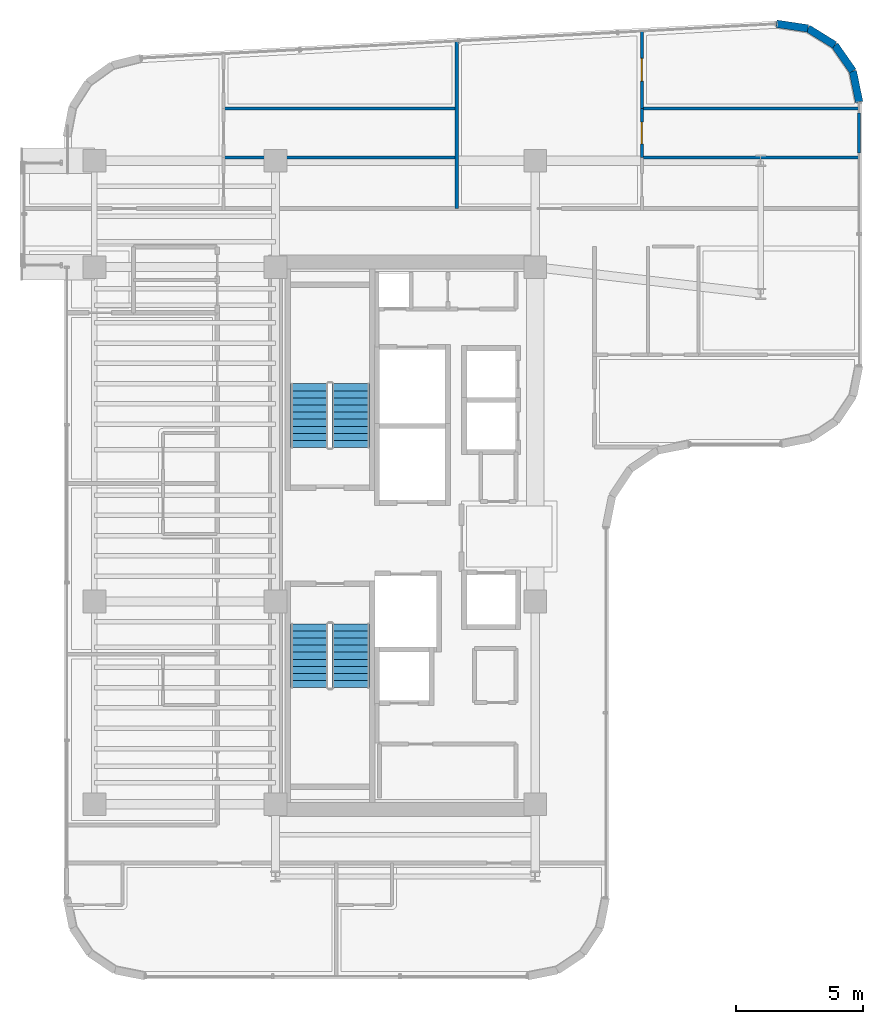
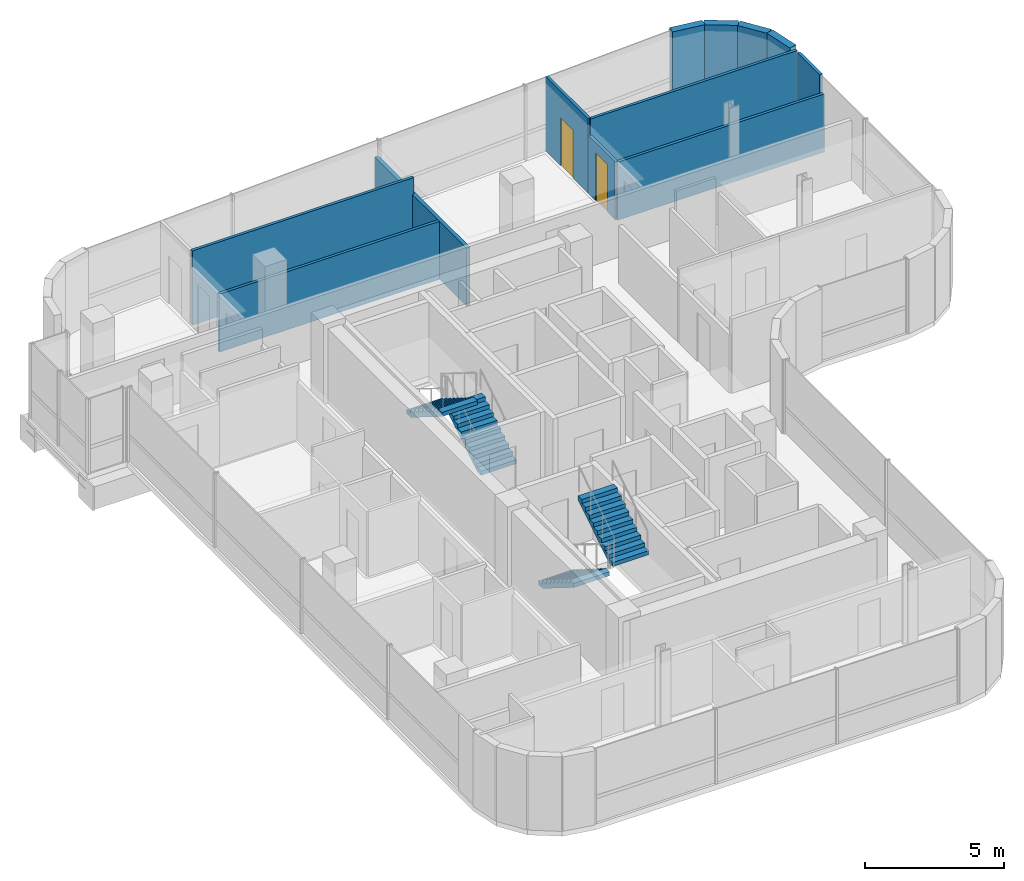
# One storey, part 20 of 23: 12 walls, 4 stair flights, 2 doors, 2 openings, 2 elements without a shape of their own.
"""IFC4 building model written with IfcOpenShell, lengths in metres."""

from ifc_helpers import new_model, si_unit, direction, frame, frame_2d, origin, place, context, subcontext, project, spatial, polyline, rectangle, outline, extrude, material, layer, layer_set, type_object, element, fill, aggregate, save


model = new_model("IFC4")

# Units and contexts
model_context = context("Model", 3, precision=1e-05, world=origin(), true_north=direction((0.0, 1.0)))
body_context = subcontext(model_context, "Body", "Model", "MODEL_VIEW")
ifc_project = project(units=[si_unit("LENGTHUNIT", "METRE"), si_unit("AREAUNIT", "SQUARE_METRE"), si_unit("VOLUMEUNIT", "CUBIC_METRE"), si_unit("PLANEANGLEUNIT", "RADIAN"), si_unit("MASSUNIT", "GRAM", prefix="KILO")], contexts=[model_context])

# Site, building, storey
site_placement = place(None, origin())
site = spatial("IfcSite", under=ifc_project, at=site_placement, CompositionType="ELEMENT")
building_placement = place(site_placement, origin())
building = spatial("IfcBuilding", under=site, at=building_placement, Name="Valdorenza Pilgrim Sanctuary Tower", CompositionType="ELEMENT")
storey_placement = place(building_placement, frame((0.0, 0.0, 226.5)))
storey = spatial("IfcBuildingStorey", under=building, at=storey_placement, Name="L58", CompositionType="ELEMENT", Elevation=226.5)

# Walls
ifc_material_1 = material(Name="Honed travertine limestone", Category="masonry")
ifc_layer_1 = layer(ifc_material_1, 0.300048828125, Name="Honed travertine limestone")
ifc_layer_set_1 = layer_set([ifc_layer_1], Name="Honed travertine limestone")
wall_type_1 = type_object("IfcWallType", Name="WAL-EXT-300", PredefinedType="SOLIDWALL", material=ifc_layer_set_1)
wall_1_placement = place(storey_placement, frame((-2.877685546875, 20.20751953125, 0.0), z_axis=(0.0, 0.0, 1.0), x_axis=(0.988902138571, -0.148568369208, 0.0)))
element("IfcWall", 1, at=wall_1_placement, inside=storey, type_object=wall_type_1, Name="L58 Rounded Wind-Corner Stone Pier 7", PredefinedType="SOLIDWALL", context=body_context, shape_type="SweptSolid", body=[
    extrude(rectangle(XDim=1.257080078125, YDim=0.300048828125, at=frame_2d((0.62841796875, 0.0))), origin(), (0.0, 0.0, 1.0), 3.260009765625),
])
wall_2_placement = place(storey_placement, frame((-1.634521484375, 20.020751953125, 0.0), z_axis=(0.0, 0.0, 1.0), x_axis=(0.849646224094, -0.52735310171, 0.0)))
element("IfcWall", 2, at=wall_2_placement, inside=storey, type_object=wall_type_1, Name="L58 Rounded Wind-Corner Stone Pier 8", PredefinedType="SOLIDWALL", context=body_context, shape_type="SweptSolid", body=[
    extrude(rectangle(XDim=1.245361328125, YDim=0.300048828125, at=frame_2d((0.62255859375, 0.0))), origin(), (0.0, 0.0, 1.0), 3.260009765625),
])
wall_3_placement = place(storey_placement, frame((-0.576416015625, 19.364013671875, 0.0), z_axis=(0.0, 0.0, 1.0), x_axis=(0.572304219931, -0.820041389107, 0.0)))
element("IfcWall", 3, at=wall_3_placement, inside=storey, type_object=wall_type_1, Name="L58 Rounded Wind-Corner Stone Pier 9", PredefinedType="SOLIDWALL", context=body_context, shape_type="SweptSolid", body=[
    extrude(rectangle(XDim=1.24560546875, YDim=0.300048828125, at=frame_2d((0.622802734375, 0.0))), origin(), (0.0, 0.0, 1.0), 3.260009765625),
])
wall_4_placement = place(storey_placement, frame((0.136474609375, 18.342529296875, 0.0), z_axis=(0.0, 0.0, 1.0), x_axis=(0.201603599025, -0.979467196419, 0.0)))
element("IfcWall", 4, at=wall_4_placement, inside=storey, type_object=wall_type_1, Name="L58 Rounded Wind-Corner Stone Pier 10", PredefinedType="SOLIDWALL", context=body_context, shape_type="SweptSolid", body=[
    extrude(rectangle(XDim=1.257080078125, YDim=0.300048828125, at=frame_2d((0.62841796875, 0.0))), origin(), (0.0, 0.0, 1.0), 3.260009765625),
])
ifc_material_2 = material(Name="Moisture-resistant gypsum partition", Category="gypsum")
ifc_layer_2 = layer(ifc_material_2, 0.1201171875, Name="Moisture-resistant gypsum partition")
ifc_layer_set_2 = layer_set([ifc_layer_2], Name="Moisture-resistant gypsum partition")
wall_type_2 = type_object("IfcWallType", Name="WAL-INT-120", PredefinedType="PARTITIONING", material=ifc_layer_set_2)
wall_5_placement = place(storey_placement, frame((-24.70166015625, 14.919921875, 0.0), z_axis=(0.0, 0.0, 1.0), x_axis=(1.0, 0.0, 0.0)))
element("IfcWall", 5, at=wall_5_placement, inside=storey, type_object=wall_type_2, Name="L58 North Sanctuary Apartment L58-N1 Bath-Kitchen Wall", PredefinedType="PARTITIONING", context=body_context, shape_type="SweptSolid", body=[
    extrude(rectangle(XDim=9.20166015625, YDim=0.1201171875, at=frame_2d((4.600830078125, 0.0))), origin(), (0.0, 0.0, 1.0), 2.5439453125),
])
wall_6_placement = place(storey_placement, frame((-24.70166015625, 16.8701171875, 0.0), z_axis=(0.0, 0.0, 1.0), x_axis=(1.0, 0.0, 0.0)))
element("IfcWall", 6, at=wall_6_placement, inside=storey, type_object=wall_type_2, Name="L58 North Sanctuary Apartment L58-N1 Kitchen-Bedroom Wall", PredefinedType="PARTITIONING", context=body_context, shape_type="SweptSolid", body=[
    extrude(rectangle(XDim=9.20166015625, YDim=0.1201171875, at=frame_2d((4.600830078125, 0.0))), origin(), (0.0, 0.0, 1.0), 3.260009765625),
])
wall_7_placement = place(storey_placement, frame((-8.190673828125, 14.919921875, 0.0), z_axis=(0.0, 0.0, 1.0), x_axis=(1.0, 0.0, 0.0)))
element("IfcWall", 7, at=wall_7_placement, inside=storey, type_object=wall_type_2, Name="L58 North Sanctuary Apartment L58-N2 Bath-Kitchen Wall", PredefinedType="PARTITIONING", context=body_context, shape_type="SweptSolid", body=[
    extrude(rectangle(XDim=8.58056640625, YDim=0.1201171875, at=frame_2d((4.290283203125, 0.0))), origin(), (0.0, 0.0, 1.0), 2.5439453125),
])
wall_8_placement = place(storey_placement, frame((-8.190673828125, 16.8701171875, 0.0), z_axis=(0.0, 0.0, 1.0), x_axis=(1.0, 0.0, 0.0)))
element("IfcWall", 8, at=wall_8_placement, inside=storey, type_object=wall_type_2, Name="L58 North Sanctuary Apartment L58-N2 Kitchen-Bedroom Wall", PredefinedType="PARTITIONING", context=body_context, shape_type="SweptSolid", body=[
    extrude(rectangle(XDim=8.58056640625, YDim=0.1201171875, at=frame_2d((4.290283203125, 0.0))), origin(), (0.0, 0.0, 1.0), 3.260009765625),
])

# Wall, opening, door
wall_9_placement = place(storey_placement, frame((-8.190673828125, 14.919921875, 0.0), z_axis=(0.0, 0.0, 1.0), x_axis=(0.0, 1.0, 0.0)))
wall_9 = element("IfcWall", 9, at=wall_9_placement, inside=storey, type_object=wall_type_2, Name="L58 North Sanctuary Apartment L58-N2 Bathroom Door Wall", PredefinedType="PARTITIONING", context=body_context, shape_type="SweptSolid", body=[
    extrude(rectangle(XDim=1.9501953125, YDim=0.1201171875, at=frame_2d((0.97509765625, 0.0))), origin(), (0.0, 0.0, 1.0), 2.5439453125),
])
opening_1_placement = place(wall_9_placement, frame((0.550048828125, 0.0, 0.0)))
opening_1 = element("IfcOpeningElement", 10, at=opening_1_placement, cuts=wall_9, Name="Opening DR-WC1", PredefinedType="OPENING", context=body_context, shape_type="SweptSolid", body=[
    extrude(rectangle(XDim=0.85009765625, YDim=2.10009765625, at=frame_2d((0.425048828125, 1.050048828125))), frame((0.0, 0.074951171875, 0.0), z_axis=(0.0, -1.0, 0.0), x_axis=(1.0, 0.0, 0.0)), (0.0, 0.0, 1.0), 0.14990234375),
])
ifc_material_3 = material(Name="Moisture-resistant lacquered timber", Category="wood")
door_type_1 = type_object("IfcDoorType", Name="DR-BATH-850", OperationType="NOTDEFINED", PredefinedType="DOOR", material=ifc_material_3)
door_1_placement = place(opening_1_placement, origin())
door_1 = element("IfcDoor", 11, at=door_1_placement, inside=storey, type_object=door_type_1, Name="L58 North Sanctuary Apartment L58-N2 Bathroom Door", OperationType="SINGLE_SWING_LEFT", OverallHeight=2.10009765625, OverallWidth=0.85009765625, PredefinedType="DOOR", context=body_context, shape_type="SweptSolid", body=[
    extrude(rectangle(XDim=0.85009765625, YDim=2.10009765625, at=frame_2d((0.425048828125, 1.050048828125))), frame((0.0, 0.02490234375, 0.0), z_axis=(0.0, -1.0, 0.0), x_axis=(1.0, 0.0, 0.0)), (0.0, 0.0, 1.0), 0.050048828125),
])
fill(opening_1, door_1)

wall_10_placement = place(storey_placement, frame((-8.190673828125, 16.8701171875, 0.0), z_axis=(0.0, 0.0, 1.0), x_axis=(0.0, 1.0, 0.0)))
wall_10 = element("IfcWall", 12, at=wall_10_placement, inside=storey, type_object=wall_type_2, Name="L58 North Sanctuary Apartment L58-N2 Bedroom Door Wall", PredefinedType="PARTITIONING", context=body_context, shape_type="SweptSolid", body=[
    extrude(rectangle(XDim=3.05078125, YDim=0.1201171875, at=frame_2d((1.525390625, 0.0))), origin(), (0.0, 0.0, 1.0), 3.260009765625),
])
opening_2_placement = place(wall_10_placement, frame((1.074951171875, 0.0, 0.0)))
opening_2 = element("IfcOpeningElement", 13, at=opening_2_placement, cuts=wall_10, Name="Opening DR-RM1", PredefinedType="OPENING", context=body_context, shape_type="SweptSolid", body=[
    extrude(rectangle(XDim=0.89990234375, YDim=2.10009765625, at=frame_2d((0.449951171875, 1.050048828125))), frame((0.0, 0.074951171875, 0.0), z_axis=(0.0, -1.0, 0.0), x_axis=(1.0, 0.0, 0.0)), (0.0, 0.0, 1.0), 0.14990234375),
])
ifc_material_4 = material(Name="Solid-core European oak timber", Category="wood")
door_type_2 = type_object("IfcDoorType", Name="DR-ROOM-900", OperationType="NOTDEFINED", PredefinedType="DOOR", material=ifc_material_4)
door_2_placement = place(opening_2_placement, frame((0.89990234375, 0.0, 0.0), z_axis=(0.0, 0.0, 1.0), x_axis=(-1.0, 0.0, 0.0)))
door_2 = element("IfcDoor", 14, at=door_2_placement, inside=storey, type_object=door_type_2, Name="L58 North Sanctuary Apartment L58-N2 Bedroom Door", OperationType="SINGLE_SWING_LEFT", OverallHeight=2.10009765625, OverallWidth=0.89990234375, PredefinedType="DOOR", context=body_context, shape_type="SweptSolid", body=[
    extrude(rectangle(XDim=0.89990234375, YDim=2.10009765625, at=frame_2d((0.449951171875, 1.050048828125))), frame((0.0, 0.02490234375, 0.0), z_axis=(0.0, -1.0, 0.0), x_axis=(1.0, 0.0, 0.0)), (0.0, 0.0, 1.0), 0.050048828125),
])
fill(opening_2, door_2)

# Walls
wall_11_placement = place(storey_placement, frame((0.389892578125, 15.10009765625, 0.0), z_axis=(0.0, 0.0, 1.0), x_axis=(0.0, 1.0, 0.0)))
element("IfcWall", 15, at=wall_11_placement, inside=storey, type_object=wall_type_2, Name="L58 NW-AP2-BTH Enclosure Wall E", PredefinedType="PARTITIONING", context=body_context, shape_type="SweptSolid", body=[
    extrude(rectangle(XDim=1.58984375, YDim=0.1201171875, at=frame_2d((0.794921875, 0.0))), origin(), (0.0, 0.0, 1.0), 3.260009765625),
])
ifc_material_5 = material(Name="Acoustic twin-stud gypsum partition", Category="gypsum")
ifc_layer_3 = layer(ifc_material_5, 0.14990234375, Name="Acoustic twin-stud gypsum partition")
ifc_layer_set_3 = layer_set([ifc_layer_3], Name="Acoustic twin-stud gypsum partition")
wall_type_3 = type_object("IfcWallType", Name="WAL-UNT-150", PredefinedType="PARTITIONING", material=ifc_layer_set_3)
wall_12_placement = place(storey_placement, frame((-15.5, 12.919921875, 0.0), z_axis=(0.0, 0.0, 1.0), x_axis=(0.0, 1.0, 0.0)))
element("IfcWall", 16, at=wall_12_placement, inside=storey, type_object=wall_type_3, Name="L58 North Apt Demising 1", PredefinedType="PARTITIONING", context=body_context, shape_type="SweptSolid", body=[
    extrude(rectangle(XDim=6.6064453125, YDim=0.14990234375, at=frame_2d((3.30322265625, 0.0))), origin(), (0.0, 0.0, 1.0), 2.5439453125),
])

# Stair, stair flights
ifc_material_6 = material(Name="Concrete C40/50", Category="concrete")
stair_type = type_object("IfcStairType", Name="STR-DOG-CORE", PredefinedType="HALF_TURN_STAIR", material=ifc_material_6)
stair_1_placement = place(storey_placement, origin())
stair_1 = element("IfcStair", 17, at=stair_1_placement, inside=storey, type_object=stair_type, Name="L58 ST-A1", PredefinedType="HALF_TURN_STAIR")
stair_flight_type = type_object("IfcStairFlightType", Name="STF-RC-1400", PredefinedType="STRAIGHT", material=ifc_material_6)
stair_flight_1_placement = place(storey_placement, frame((-19.679931640625, 3.47998046875, 0.0), z_axis=(0.0, 0.0, 1.0), x_axis=(0.0, 1.0, 0.0)))
stair_flight_1 = element("IfcStairFlight", 18, at=stair_flight_1_placement, type_object=stair_flight_type, Name="ST-A1 flight 1", NumberOfRisers=10, NumberOfTreads=9, PredefinedType="STRAIGHT", RiserHeight=0.175, TreadLength=0.28, context=body_context, shape_type="SweptSolid", body=[
    extrude(outline(polyline([(0.0, 0.0), (0.0, 0.175048828125), (0.280029296875, 0.175048828125), (0.280029296875, 0.35009765625), (0.56005859375, 0.35009765625), (0.56005859375, 0.52490234375), (0.840087890625, 0.52490234375), (0.840087890625, 0.699951171875), (1.1201171875, 0.699951171875), (1.1201171875, 0.875), (1.39990234375, 0.875), (1.39990234375, 1.050048828125), (1.679931640625, 1.050048828125), (1.679931640625, 1.22509765625), (1.9599609375, 1.22509765625), (1.9599609375, 1.39990234375), (2.239990234375, 1.39990234375), (2.239990234375, 1.574951171875), (2.52001953125, 1.574951171875), (2.52001953125, 1.75), (2.52001953125, 1.398193359375), (0.28271484375, 0.0), (0.0, 0.0)])), frame((0.0, 0.739990234375, 0.0), z_axis=(0.0, -1.0, 0.0), x_axis=(1.0, 0.0, 0.0)), (0.0, 0.0, 1.0), 1.47998046875),
])
stair_flight_2_placement = place(storey_placement, frame((-21.31005859375, 6.0, 1.75), z_axis=(0.0, 0.0, 1.0), x_axis=(0.0, -1.0, 0.0)))
stair_flight_2 = element("IfcStairFlight", 19, at=stair_flight_2_placement, type_object=stair_flight_type, Name="ST-A1 flight 2", NumberOfRisers=10, NumberOfTreads=9, PredefinedType="STRAIGHT", RiserHeight=0.175, TreadLength=0.28, context=body_context, shape_type="SweptSolid", body=[
    extrude(outline(polyline([(0.0, 0.0), (0.0, 0.175048828125), (0.280029296875, 0.175048828125), (0.280029296875, 0.35009765625), (0.56005859375, 0.35009765625), (0.56005859375, 0.52490234375), (0.840087890625, 0.52490234375), (0.840087890625, 0.699951171875), (1.1201171875, 0.699951171875), (1.1201171875, 0.875), (1.39990234375, 0.875), (1.39990234375, 1.050048828125), (1.679931640625, 1.050048828125), (1.679931640625, 1.22509765625), (1.9599609375, 1.22509765625), (1.9599609375, 1.39990234375), (2.239990234375, 1.39990234375), (2.239990234375, 1.574951171875), (2.52001953125, 1.574951171875), (2.52001953125, 1.75), (2.52001953125, 1.398193359375), (0.28271484375, 0.0), (0.0, 0.0)])), frame((0.0, 0.739990234375, 0.0), z_axis=(0.0, -1.0, 0.0), x_axis=(1.0, 0.0, 0.0)), (0.0, 0.0, 1.0), 1.47998046875),
])
aggregate(stair_1, [stair_flight_1, stair_flight_2])

stair_2_placement = place(storey_placement, origin())
stair_2 = element("IfcStair", 20, at=stair_2_placement, inside=storey, type_object=stair_type, Name="L58 ST-A2", PredefinedType="HALF_TURN_STAIR")
stair_flight_3_placement = place(storey_placement, frame((-21.31005859375, -3.47998046875, 0.0), z_axis=(0.0, 0.0, 1.0), x_axis=(0.0, -1.0, 0.0)))
stair_flight_3 = element("IfcStairFlight", 21, at=stair_flight_3_placement, type_object=stair_flight_type, Name="ST-A2 flight 1", NumberOfRisers=10, NumberOfTreads=9, PredefinedType="STRAIGHT", RiserHeight=0.175, TreadLength=0.28, context=body_context, shape_type="SweptSolid", body=[
    extrude(outline(polyline([(0.0, 0.0), (0.0, 0.175048828125), (0.280029296875, 0.175048828125), (0.280029296875, 0.35009765625), (0.56005859375, 0.35009765625), (0.56005859375, 0.52490234375), (0.840087890625, 0.52490234375), (0.840087890625, 0.699951171875), (1.1201171875, 0.699951171875), (1.1201171875, 0.875), (1.39990234375, 0.875), (1.39990234375, 1.050048828125), (1.679931640625, 1.050048828125), (1.679931640625, 1.22509765625), (1.9599609375, 1.22509765625), (1.9599609375, 1.39990234375), (2.239990234375, 1.39990234375), (2.239990234375, 1.574951171875), (2.52001953125, 1.574951171875), (2.52001953125, 1.75), (2.52001953125, 1.398193359375), (0.28271484375, 0.0), (0.0, 0.0)])), frame((0.0, 0.739990234375, 0.0), z_axis=(0.0, -1.0, 0.0), x_axis=(1.0, 0.0, 0.0)), (0.0, 0.0, 1.0), 1.47998046875),
])
stair_flight_4_placement = place(storey_placement, frame((-19.679931640625, -6.0, 1.75), z_axis=(0.0, 0.0, 1.0), x_axis=(0.0, 1.0, 0.0)))
stair_flight_4 = element("IfcStairFlight", 22, at=stair_flight_4_placement, type_object=stair_flight_type, Name="ST-A2 flight 2", NumberOfRisers=10, NumberOfTreads=9, PredefinedType="STRAIGHT", RiserHeight=0.175, TreadLength=0.28, context=body_context, shape_type="SweptSolid", body=[
    extrude(outline(polyline([(0.0, 0.0), (0.0, 0.175048828125), (0.280029296875, 0.175048828125), (0.280029296875, 0.35009765625), (0.56005859375, 0.35009765625), (0.56005859375, 0.52490234375), (0.840087890625, 0.52490234375), (0.840087890625, 0.699951171875), (1.1201171875, 0.699951171875), (1.1201171875, 0.875), (1.39990234375, 0.875), (1.39990234375, 1.050048828125), (1.679931640625, 1.050048828125), (1.679931640625, 1.22509765625), (1.9599609375, 1.22509765625), (1.9599609375, 1.39990234375), (2.239990234375, 1.39990234375), (2.239990234375, 1.574951171875), (2.52001953125, 1.574951171875), (2.52001953125, 1.75), (2.52001953125, 1.398193359375), (0.28271484375, 0.0), (0.0, 0.0)])), frame((0.0, 0.739990234375, 0.0), z_axis=(0.0, -1.0, 0.0), x_axis=(1.0, 0.0, 0.0)), (0.0, 0.0, 1.0), 1.47998046875),
])
aggregate(stair_2, [stair_flight_3, stair_flight_4])

save(model, "model.ifc")
